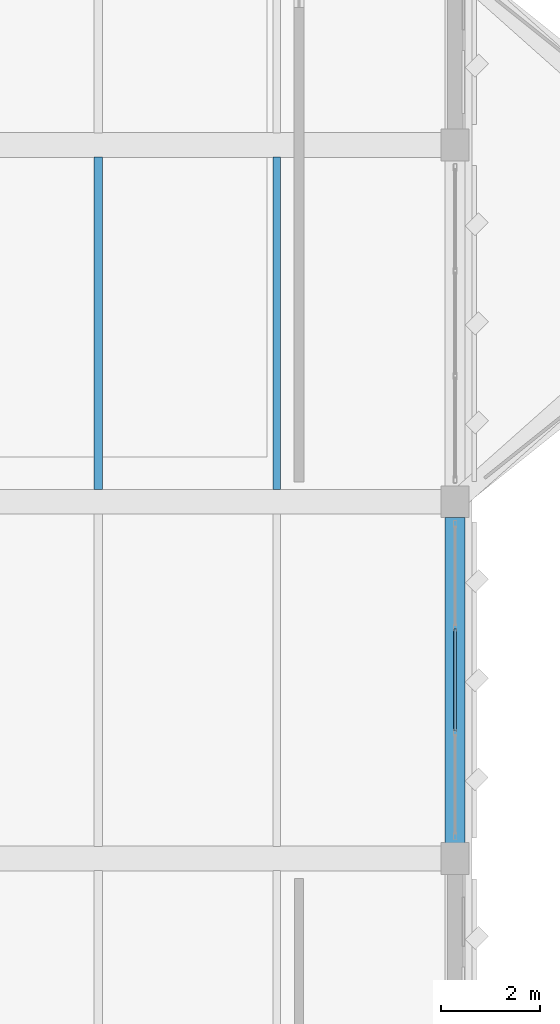
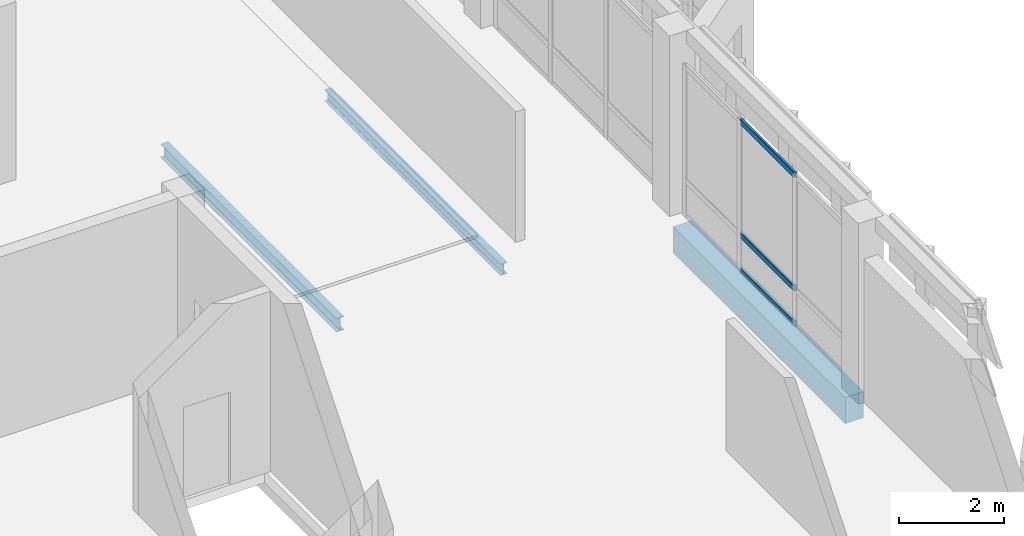
# One storey, part 31 of 158: 3 beams, 3 members, 1 element without a shape of its own.
"""IFC4 building model written with IfcOpenShell, lengths in metres."""

from ifc_helpers import new_model, si_unit, direction, frame, origin, origin_2d, place, context, subcontext, project, spatial, rectangle, hollow_rectangle, i_section, extrude, material, material_profile, profile_set, type_object, element, aggregate, save


model = new_model("IFC4")

# Units and contexts
model_context = context("Model", 3, precision=1e-05, world=origin(), true_north=direction((0.0, 1.0)))
body_context = subcontext(model_context, "Body", "Model", "MODEL_VIEW")
ifc_project = project(units=[si_unit("LENGTHUNIT", "METRE"), si_unit("AREAUNIT", "SQUARE_METRE"), si_unit("VOLUMEUNIT", "CUBIC_METRE"), si_unit("PLANEANGLEUNIT", "RADIAN"), si_unit("MASSUNIT", "GRAM", prefix="KILO")], contexts=[model_context])

# Site, building, storey
site_placement = place(None, origin())
site = spatial("IfcSite", under=ifc_project, at=site_placement, CompositionType="ELEMENT")
building_placement = place(site_placement, origin())
building = spatial("IfcBuilding", under=site, at=building_placement, Name="Lusvemor Sports Hall", CompositionType="ELEMENT")
storey_placement = place(building_placement, frame((0.0, 0.0, 10.800048828125)))
storey = spatial("IfcBuildingStorey", under=building, at=storey_placement, Name="L02", CompositionType="ELEMENT", Elevation=10.800048828125)

# Curtain wall, members
ifc_material_1 = material(Name="Thermally broken bronze-anodized aluminium", Category="aluminium")
curtain_wall_type = type_object("IfcCurtainWallType", Name="CW_WING_B", PredefinedType="NOTDEFINED", material=ifc_material_1)
curtain_wall_placement = place(storey_placement, origin())
curtain_wall = element("IfcCurtainWall", 1, at=curtain_wall_placement, inside=storey, type_object=curtain_wall_type, Name="Curtain Wall CW-L02-E-5-3", PredefinedType="NOTDEFINED")
ifc_material_2 = material(Name="Thermally broken bronze-anodized aluminium", Category="aluminium")
ifc_material_profile_1 = material_profile(ifc_material_2, hollow_rectangle(XDim=0.06005859375, YDim=0.135009765625, WallThickness=0.00390625, InnerFilletRadius=0.00390625, OuterFilletRadius=0.008056640625, at=origin_2d()), Name="CWTRN135x60x4")
ifc_profile_set_1 = profile_set([ifc_material_profile_1], Name="Thermally broken bronze-anodized aluminium")
member_type = type_object("IfcMemberType", Name="CW_TRN_B", PredefinedType="USERDEFINED", material=ifc_profile_set_1)
member_1_placement = place(storey_placement, frame((21.60009765625, 73.027587890625, 0.030029296875), z_axis=(0.0, -1.0, 0.0), x_axis=(1.0, 0.0, 0.0)))
member_1 = element("IfcMember", 2, at=member_1_placement, type_object=member_type, Name="CW02 transom 2.1", ObjectType="TRANSOM", PredefinedType="USERDEFINED", context=body_context, shape_type="SweptSolid", body=[
    extrude(hollow_rectangle(XDim=0.06005859375, YDim=0.135009765625, WallThickness=0.00390625, InnerFilletRadius=0.00390625, OuterFilletRadius=0.008056640625, at=origin_2d()), origin(), (0.0, 0.0, 1.0), 2.05517578125),
])
member_2_placement = place(storey_placement, frame((21.60009765625, 73.027587890625, 0.849853515625), z_axis=(0.0, -1.0, 0.0), x_axis=(1.0, 0.0, 0.0)))
member_2 = element("IfcMember", 3, at=member_2_placement, type_object=member_type, Name="CW02 transom 2.2", ObjectType="TRANSOM", PredefinedType="USERDEFINED", context=body_context, shape_type="SweptSolid", body=[
    extrude(hollow_rectangle(XDim=0.06005859375, YDim=0.135009765625, WallThickness=0.00390625, InnerFilletRadius=0.00390625, OuterFilletRadius=0.008056640625, at=origin_2d()), origin(), (0.0, 0.0, 1.0), 2.05517578125),
])
member_3_placement = place(storey_placement, frame((21.60009765625, 73.027587890625, 3.489990234375), z_axis=(0.0, -1.0, 0.0), x_axis=(1.0, 0.0, 0.0)))
member_3 = element("IfcMember", 4, at=member_3_placement, type_object=member_type, Name="CW02 transom 2.3", ObjectType="TRANSOM", PredefinedType="USERDEFINED", context=body_context, shape_type="SweptSolid", body=[
    extrude(hollow_rectangle(XDim=0.06005859375, YDim=0.135009765625, WallThickness=0.00390625, InnerFilletRadius=0.00390625, OuterFilletRadius=0.008056640625, at=origin_2d()), origin(), (0.0, 0.0, 1.0), 2.05517578125),
])
aggregate(curtain_wall, [member_1, member_2, member_3])

# Beams
ifc_material_3 = material(Name="Steel S355", Category="steel")
ifc_material_profile_2 = material_profile(ifc_material_3, i_section(OverallWidth=0.14794921875, OverallDepth=0.26611328125, WebThickness=0.007568359375, FlangeThickness=0.012939453125, FilletRadius=0.012939453125, at=origin_2d()), Name="W250x44.8")
ifc_profile_set_2 = profile_set([ifc_material_profile_2], Name="Steel S355")
beam_type_1 = type_object("IfcBeamType", Name="JOIST_ST_250M", PredefinedType="JOIST", material=ifc_profile_set_2)
beam_1_placement = place(storey_placement, frame((18.0, 75.845947265625, -0.39697265625), z_axis=(0.0, 1.0, 0.0), x_axis=(-1.0, 0.0, 0.0)))
element("IfcBeam", 5, at=beam_1_placement, inside=storey, type_object=beam_type_1, Name="Secondary Joist L02 2-3/K-L #2", PredefinedType="JOIST", context=body_context, shape_type="SweptSolid", body=[
    extrude(i_section(OverallWidth=0.14794921875, OverallDepth=0.26611328125, WebThickness=0.007568359375, FlangeThickness=0.012939453125, FilletRadius=0.012939453125, at=origin_2d()), origin(), (0.0, 0.0, 1.0), 6.7080078125),
])
ifc_material_4 = material(Name="Steel S355", Category="steel")
ifc_material_profile_3 = material_profile(ifc_material_4, i_section(OverallWidth=0.1669921875, OverallDepth=0.31689453125, WebThickness=0.007568359375, FlangeThickness=0.01318359375, FilletRadius=0.014892578125, at=origin_2d()), Name="W310x52.0")
ifc_profile_set_3 = profile_set([ifc_material_profile_3], Name="Steel S355")
beam_type_2 = type_object("IfcBeamType", Name="JOIST_ST_310M", PredefinedType="JOIST", material=ifc_profile_set_3)
beam_2_placement = place(storey_placement, frame((14.39990234375, 75.845947265625, -0.422607421875), z_axis=(0.0, 1.0, 0.0), x_axis=(-1.0, 0.0, 0.0)))
element("IfcBeam", 6, at=beam_2_placement, inside=storey, type_object=beam_type_2, Name="Secondary Joist L02 2-3/K-L #1", PredefinedType="JOIST", context=body_context, shape_type="SweptSolid", body=[
    extrude(i_section(OverallWidth=0.1669921875, OverallDepth=0.31689453125, WebThickness=0.007568359375, FlangeThickness=0.01318359375, FilletRadius=0.014892578125, at=origin_2d()), origin(), (0.0, 0.0, 1.0), 6.7080078125),
])
ifc_material_5 = material(Name="Concrete C40/50", Category="concrete")
ifc_material_profile_4 = material_profile(ifc_material_5, rectangle(XDim=0.39990234375, YDim=0.610107421875, at=origin_2d()), Name="RC400x610")
ifc_profile_set_4 = profile_set([ifc_material_profile_4], Name="Concrete C40/50")
beam_type_3 = type_object("IfcBeamType", Name="SPAND_EXT_650", PredefinedType="SPANDREL", material=ifc_profile_set_4)
beam_3_placement = place(storey_placement, frame((21.60009765625, 68.716064453125, -0.56494140625), z_axis=(0.0, 1.0, 0.0), x_axis=(-1.0, 0.0, 0.0)))
element("IfcBeam", 7, at=beam_3_placement, inside=storey, type_object=beam_type_3, Name="Beam L02 3:J-K", PredefinedType="SPANDREL", context=body_context, shape_type="SweptSolid", body=[
    extrude(rectangle(XDim=0.39990234375, YDim=0.610107421875, at=origin_2d()), origin(), (0.0, 0.0, 1.0), 6.56787109375),
])

save(model, "model.ifc")
